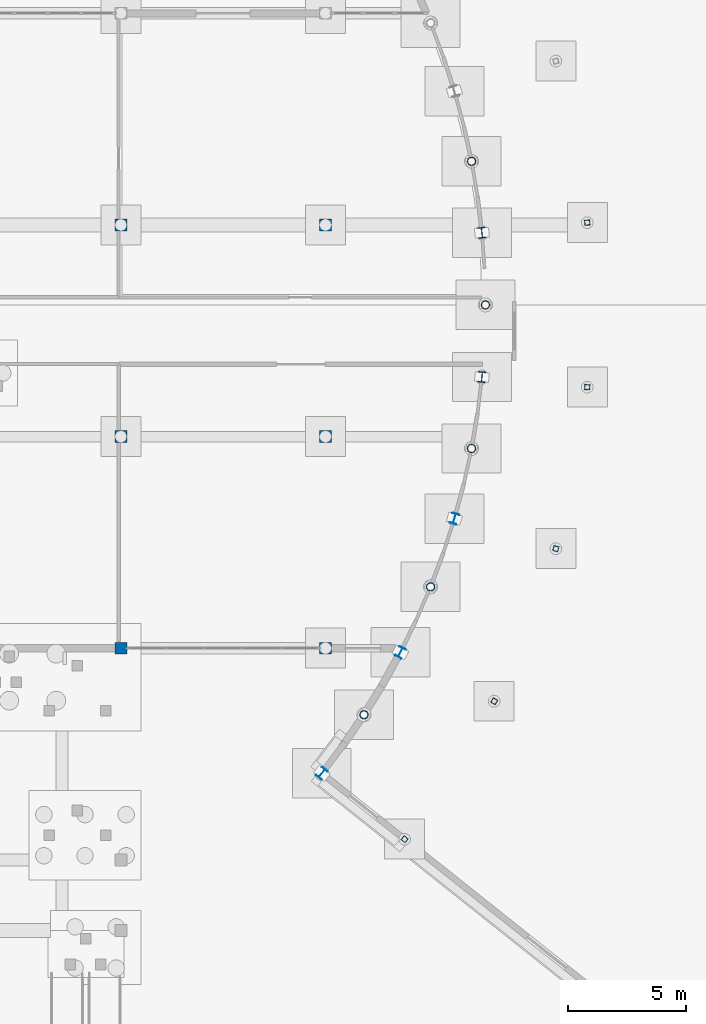
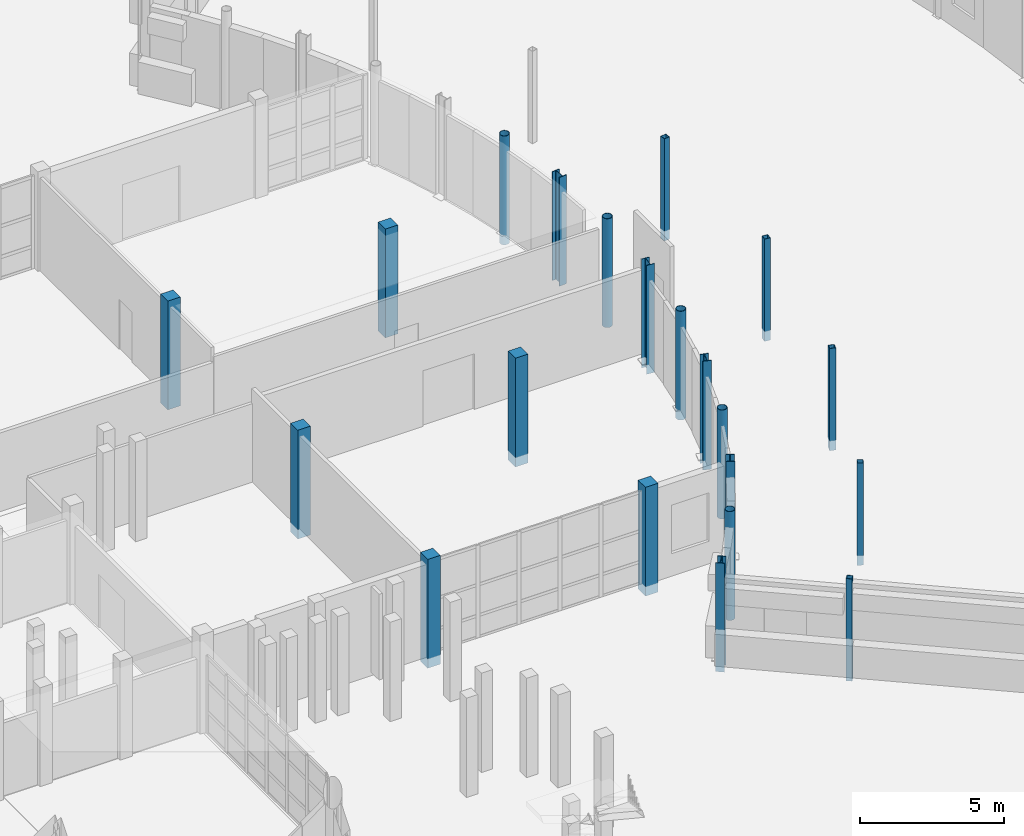
# One storey, part 12 of 88: 21 columns.
"""IFC4 building model written with IfcOpenShell, lengths in metres."""

from ifc_helpers import new_model, si_unit, direction, frame, origin, origin_2d, place, context, subcontext, project, spatial, rectangle, hollow_rectangle, hollow_circle, i_section, extrude, material, material_profile, profile_set, type_object, element, save


model = new_model("IFC4")

# Units and contexts
model_context = context("Model", 3, precision=1e-05, world=origin(), true_north=direction((0.0, 1.0)))
body_context = subcontext(model_context, "Body", "Model", "MODEL_VIEW")
ifc_project = project(units=[si_unit("LENGTHUNIT", "METRE"), si_unit("AREAUNIT", "SQUARE_METRE"), si_unit("VOLUMEUNIT", "CUBIC_METRE"), si_unit("PLANEANGLEUNIT", "RADIAN"), si_unit("MASSUNIT", "GRAM", prefix="KILO")], contexts=[model_context])

# Site, building, storey
site_placement = place(None, origin())
site = spatial("IfcSite", under=ifc_project, at=site_placement, CompositionType="ELEMENT")
building_placement = place(site_placement, origin())
building = spatial("IfcBuilding", under=site, at=building_placement, Name="Vanh Quang Courtyard School", CompositionType="ELEMENT")
storey_placement = place(building_placement, origin())
storey = spatial("IfcBuildingStorey", under=building, at=storey_placement, Name="L00", CompositionType="ELEMENT", Elevation=0.0)

# Columns
ifc_material_1 = material(Name="Concrete C35/45", Category="concrete")
ifc_material_profile_1 = material_profile(ifc_material_1, rectangle(XDim=0.5, YDim=0.5, at=origin_2d()), Name="RC-COL 500x500")
ifc_profile_set_1 = profile_set([ifc_material_profile_1], Name="Concrete C35/45")
column_type_1 = type_object("IfcColumnType", Name="COL-RC-500", PredefinedType="COLUMN", material=ifc_profile_set_1)
for number, where, z_axis, x_axis, name in (
    (1, (128.5, 41.39990234375, -0.39990234375), (0.0, 0.0, 1.0), (1.0, 0.0, 0.0), "Column C-05 (L00)"),
    (2, (128.5, 50.39990234375, -0.39990234375), (0.0, 0.0, 1.0), (1.0, 0.0, 0.0), "Column C-05 (L00)"),
    (3, (128.5, 59.39990234375, -0.39990234375), (0.0, 0.0, 1.0), (1.0, 0.0, 0.0), "Column C-05 (L00)"),
    (4, (137.199951171875, 41.39990234375, -0.39990234375), (0.0, 0.0, 1.0), (1.0, 0.0, 0.0), "Column C-05 (L00)"),
    (5, (137.199951171875, 50.39990234375, -0.39990234375), (0.0, 0.0, 1.0), (1.0, 0.0, 0.0), "Column C-05 (L00)"),
    (6, (137.199951171875, 59.39990234375, -0.39990234375), (0.0, 0.0, 1.0), (1.0, 0.0, 0.0), "Column C-05 (L00)"),
):
    element("IfcColumn", number, at=place(storey_placement, frame(where, z_axis=z_axis, x_axis=x_axis)), inside=storey, type_object=column_type_1, Name=name, PredefinedType="COLUMN", context=body_context, shape_type="SweptSolid", body=[
        extrude(rectangle(XDim=0.5, YDim=0.5, at=origin_2d()), origin(), (0.0, 0.0, 1.0), 4.599853515625),
    ])
ifc_material_2 = material(Name="Structural steel EN 10025-2 S355J2", Category="steel")
ifc_material_profile_2 = material_profile(ifc_material_2, hollow_circle(Radius=0.177734375, WallThickness=0.01611328125, at=origin_2d()), Name="CHS 355.6x16")
ifc_profile_set_2 = profile_set([ifc_material_profile_2], Name="Structural steel EN 10025-2 S355J2")
column_type_2 = type_object("IfcColumnType", Name="COL-STL-CHS355", PredefinedType="COLUMN", material=ifc_profile_set_2)
for number, where, z_axis, x_axis, name in (
    (7, (138.83740234375, 38.571533203125, -0.39990234375), (0.0, 0.0, 1.0), (1.0, 0.0, 0.0), "Column CS-05 (L00)"),
    (8, (141.669921875, 44.0126953125, -0.39990234375), (0.0, 0.0, 1.0), (1.0, 0.0, 0.0), "Column CS-05 (L00)"),
    (9, (143.412109375, 49.89404296875, -0.39990234375), (0.0, 0.0, 1.0), (1.0, 0.0, 0.0), "Column CS-05 (L00)"),
    (10, (144.0, 56.0, -0.39990234375), (0.0, 0.0, 1.0), (1.0, 0.0, 0.0), "Column CS-05 (L00)"),
    (11, (143.412109375, 62.10595703125, -0.39990234375), (0.0, 0.0, 1.0), (1.0, 0.0, 0.0), "Column CS-05 (L00)"),
):
    element("IfcColumn", number, at=place(storey_placement, frame(where, z_axis=z_axis, x_axis=x_axis)), inside=storey, type_object=column_type_2, Name=name, PredefinedType="COLUMN", context=body_context, shape_type="SweptSolid", body=[
        extrude(hollow_circle(Radius=0.177734375, WallThickness=0.01611328125, at=origin_2d()), origin(), (0.0, 0.0, 1.0), 4.599853515625),
    ])
ifc_material_profile_3 = material_profile(ifc_material_2, i_section(OverallWidth=0.300048828125, OverallDepth=0.449951171875, WebThickness=0.013916015625, FlangeThickness=0.02587890625, FilletRadius=0.027099609375, at=origin_2d()), Name="HEB 450")
ifc_profile_set_3 = profile_set([ifc_material_profile_3], Name="Structural steel EN 10025-2 S355J2")
column_type_3 = type_object("IfcColumnType", Name="COL-STL-HEB450", PredefinedType="COLUMN", material=ifc_profile_set_3)
for number, where, z_axis, x_axis, name in (
    (12, (137.04345703125, 36.07958984375, -0.39990234375), (0.0, 0.0, 1.0), (0.782608156852, -0.622514636638, 0.0), "Column CS-02 (L00)"),
    (13, (140.38427734375, 41.22412109375, -0.39990234375), (0.0, 0.0, 1.0), (0.887010833178, -0.461748613235, 0.0), "Column CS-02 (L00)"),
    (14, (142.68212890625, 46.91162109375, -0.39990234375), (0.0, 0.0, 1.0), (0.958819734868, -0.284015344704, 0.0), "Column CS-02 (L00)"),
    (15, (143.852783203125, 52.932861328125, -0.39990234375), (0.0, 0.0, 1.0), (0.995396198367, -0.09584575252, 0.0), "Column CS-02 (L00)"),
    (16, (143.852783203125, 59.067138671875, -0.39990234375), (0.0, 0.0, 1.0), (0.995396198367, 0.09584575252, 0.0), "Column CS-02 (L00)"),
):
    element("IfcColumn", number, at=place(storey_placement, frame(where, z_axis=z_axis, x_axis=x_axis)), inside=storey, type_object=column_type_3, Name=name, PredefinedType="COLUMN", context=body_context, shape_type="SweptSolid", body=[
        extrude(i_section(OverallWidth=0.300048828125, OverallDepth=0.449951171875, WebThickness=0.013916015625, FlangeThickness=0.02587890625, FilletRadius=0.027099609375, at=origin_2d()), origin(), (0.0, 0.0, 1.0), 4.599853515625),
    ])
ifc_material_profile_4 = material_profile(ifc_material_2, hollow_rectangle(XDim=0.219970703125, YDim=0.219970703125, WallThickness=0.011962890625, at=origin_2d()), Name="SHS 220x220x12")
ifc_profile_set_4 = profile_set([ifc_material_profile_4], Name="Structural steel EN 10025-2 S355J2")
column_type_4 = type_object("IfcColumnType", Name="COL-STL-SHS220", PredefinedType="COLUMN", material=ifc_profile_set_4)
for number, where, z_axis, x_axis, name in (
    (17, (140.565185546875, 33.2783203125, -0.39990234375), (0.0, 0.0, 1.0), (0.782608156852, -0.622514636638, 0.0), "Column CS-06 (L00)"),
    (18, (144.3759765625, 39.146240234375, -0.39990234375), (0.0, 0.0, 1.0), (0.887010833178, -0.461748613235, 0.0), "Column CS-06 (L00)"),
    (19, (146.996826171875, 45.63330078125, -0.39990234375), (0.0, 0.0, 1.0), (0.958819734868, -0.284015344704, 0.0), "Column CS-06 (L00)"),
    (20, (148.33203125, 52.501708984375, -0.39990234375), (0.0, 0.0, 1.0), (0.995396198367, -0.09584575252, 0.0), "Column CS-06 (L00)"),
    (21, (148.33203125, 59.498291015625, -0.39990234375), (0.0, 0.0, 1.0), (0.995396198367, 0.09584575252, 0.0), "Column CS-06 (L00)"),
):
    element("IfcColumn", number, at=place(storey_placement, frame(where, z_axis=z_axis, x_axis=x_axis)), inside=storey, type_object=column_type_4, Name=name, PredefinedType="COLUMN", context=body_context, shape_type="SweptSolid", body=[
        extrude(hollow_rectangle(XDim=0.219970703125, YDim=0.219970703125, WallThickness=0.011962890625, at=origin_2d()), origin(), (0.0, 0.0, 1.0), 4.31982421875),
    ])

save(model, "model.ifc")
